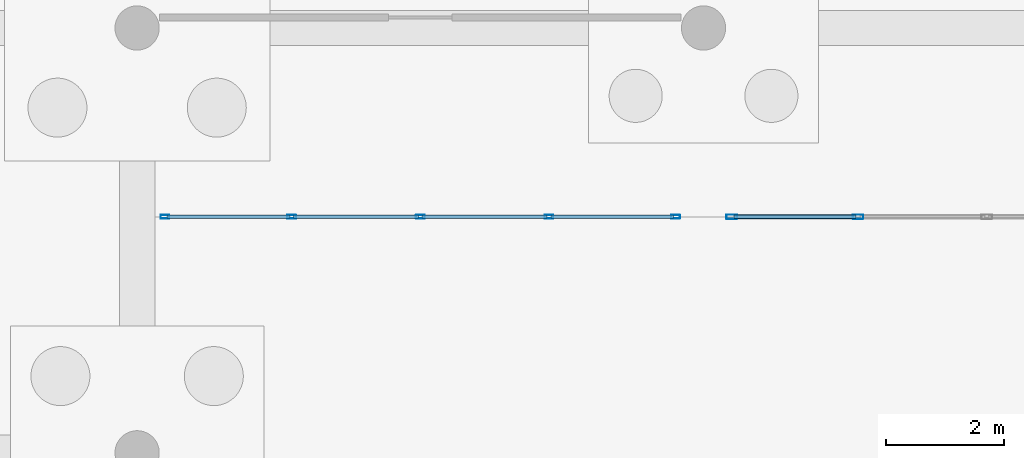
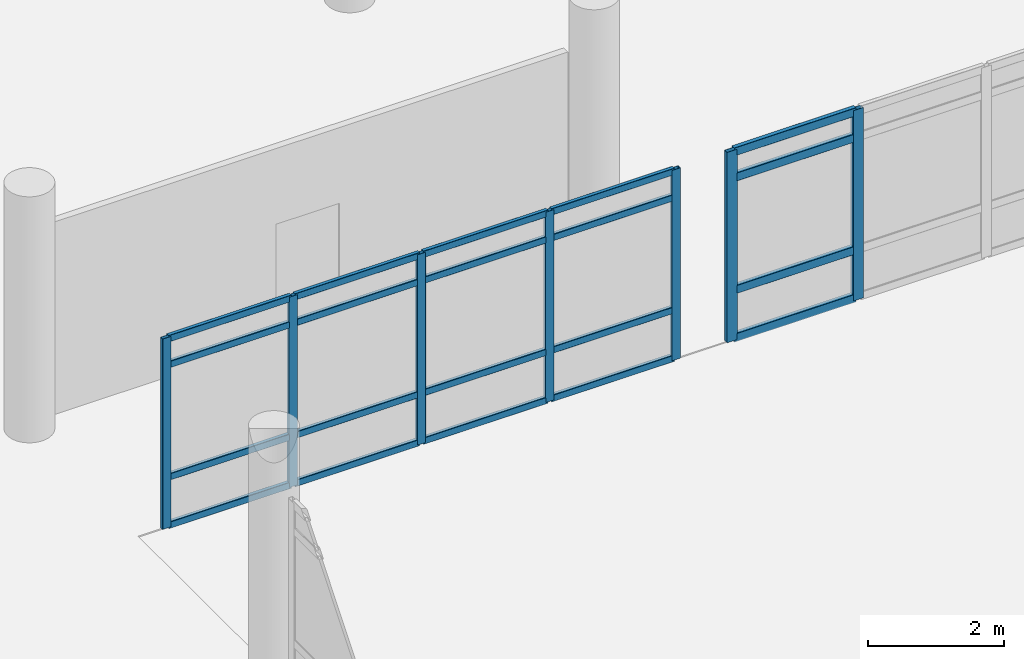
# One storey, part 103 of 196: 27 members, 2 elements without a shape of their own.
"""IFC4 building model written with IfcOpenShell, lengths in metres."""

from ifc_helpers import new_model, si_unit, direction, frame, origin, origin_2d, place, context, subcontext, project, spatial, hollow_rectangle, extrude, material, layer, layer_set, material_profile, profile_set, type_object, element, aggregate, save


model = new_model("IFC4")

# Units and contexts
model_context = context("Model", 3, precision=1e-05, world=origin(), true_north=direction((0.0, 1.0)))
body_context = subcontext(model_context, "Body", "Model", "MODEL_VIEW")
ifc_project = project(units=[si_unit("LENGTHUNIT", "METRE"), si_unit("AREAUNIT", "SQUARE_METRE"), si_unit("VOLUMEUNIT", "CUBIC_METRE"), si_unit("PLANEANGLEUNIT", "RADIAN"), si_unit("MASSUNIT", "GRAM", prefix="KILO")], contexts=[model_context])

# Site, building, storey
site_placement = place(None, origin())
site = spatial("IfcSite", under=ifc_project, at=site_placement, CompositionType="ELEMENT")
building_placement = place(site_placement, origin())
building = spatial("IfcBuilding", under=site, at=building_placement, Name="Asteropetra Specialist Clinic", CompositionType="ELEMENT")
storey_placement = place(building_placement, origin())
storey = spatial("IfcBuildingStorey", under=building, at=storey_placement, Name="L00", CompositionType="ELEMENT", Elevation=0.0)

# Curtain wall, members
ifc_material_1 = material(Name="Aluminium and low-E glass", Category="aluminium")
ifc_layer_1 = layer(ifc_material_1, 0.179931640625)
ifc_layer_set_1 = layer_set([ifc_layer_1], Name="Aluminium and low-E glass")
curtain_wall_type_1 = type_object("IfcCurtainWallType", Name="CW-SYS-04", PredefinedType="USERDEFINED", material=ifc_layer_set_1)
curtain_wall_1_placement = place(storey_placement, origin())
curtain_wall_1 = element("IfcCurtainWall", 1, at=curtain_wall_1_placement, inside=storey, type_object=curtain_wall_type_1, Name="Curtain Wall CW-010", ObjectType="UNITISED CURTAIN WALL", PredefinedType="USERDEFINED")
ifc_material_2 = material(Name="Aluminium 6063-T6", Category="aluminium")
ifc_material_profile_1 = material_profile(ifc_material_2, hollow_rectangle(XDim=0.06494140625, YDim=0.14990234375, WallThickness=0.00390625, InnerFilletRadius=0.00390625, OuterFilletRadius=0.008056640625, at=origin_2d()), Name="MUL 150x65x4.0")
ifc_profile_set_1 = profile_set([ifc_material_profile_1], Name="Aluminium 6063-T6")
member_type_1 = type_object("IfcMemberType", Name="CWM-150x65", PredefinedType="MULLION", material=ifc_profile_set_1)
member_1_placement = place(storey_placement, frame((57.12744140625, 95.199951171875, 0.0), z_axis=(0.0, 0.0, 1.0), x_axis=(0.0, -1.0, 0.0)))
member_1 = element("IfcMember", 2, at=member_1_placement, type_object=member_type_1, Name="CW-010 mullion 1", PredefinedType="MULLION", context=body_context, shape_type="SweptSolid", body=[
    extrude(hollow_rectangle(XDim=0.06494140625, YDim=0.14990234375, WallThickness=0.00390625, InnerFilletRadius=0.00390625, OuterFilletRadius=0.008056640625, at=origin_2d()), origin(), (0.0, 0.0, 1.0), 3.419921875),
])
member_2_placement = place(storey_placement, frame((54.97998046875, 95.199951171875, 0.0), z_axis=(0.0, 0.0, 1.0), x_axis=(0.0, -1.0, 0.0)))
member_2 = element("IfcMember", 3, at=member_2_placement, type_object=member_type_1, Name="CW-010 mullion 2", PredefinedType="MULLION", context=body_context, shape_type="SweptSolid", body=[
    extrude(hollow_rectangle(XDim=0.06494140625, YDim=0.14990234375, WallThickness=0.00390625, InnerFilletRadius=0.00390625, OuterFilletRadius=0.008056640625, at=origin_2d()), origin(), (0.0, 0.0, 1.0), 3.419921875),
])
member_3_placement = place(storey_placement, frame((52.800048828125, 95.199951171875, 0.0), z_axis=(0.0, 0.0, 1.0), x_axis=(0.0, -1.0, 0.0)))
member_3 = element("IfcMember", 4, at=member_3_placement, type_object=member_type_1, Name="CW-010 mullion 3", PredefinedType="MULLION", context=body_context, shape_type="SweptSolid", body=[
    extrude(hollow_rectangle(XDim=0.06494140625, YDim=0.14990234375, WallThickness=0.00390625, InnerFilletRadius=0.00390625, OuterFilletRadius=0.008056640625, at=origin_2d()), origin(), (0.0, 0.0, 1.0), 3.419921875),
])
member_4_placement = place(storey_placement, frame((50.6201171875, 95.199951171875, 0.0), z_axis=(0.0, 0.0, 1.0), x_axis=(0.0, -1.0, 0.0)))
member_4 = element("IfcMember", 5, at=member_4_placement, type_object=member_type_1, Name="CW-010 mullion 4", PredefinedType="MULLION", context=body_context, shape_type="SweptSolid", body=[
    extrude(hollow_rectangle(XDim=0.06494140625, YDim=0.14990234375, WallThickness=0.00390625, InnerFilletRadius=0.00390625, OuterFilletRadius=0.008056640625, at=origin_2d()), origin(), (0.0, 0.0, 1.0), 3.419921875),
])
member_5_placement = place(storey_placement, frame((48.472412109375, 95.199951171875, 0.0), z_axis=(0.0, 0.0, 1.0), x_axis=(0.0, -1.0, 0.0)))
member_5 = element("IfcMember", 6, at=member_5_placement, type_object=member_type_1, Name="CW-010 mullion 5", PredefinedType="MULLION", context=body_context, shape_type="SweptSolid", body=[
    extrude(hollow_rectangle(XDim=0.06494140625, YDim=0.14990234375, WallThickness=0.00390625, InnerFilletRadius=0.00390625, OuterFilletRadius=0.008056640625, at=origin_2d()), origin(), (0.0, 0.0, 1.0), 3.419921875),
])

ifc_material_3 = material(Name="Aluminium and low-E glass", Category="aluminium")
ifc_layer_2 = layer(ifc_material_3, 0.14990234375)
ifc_layer_set_2 = layer_set([ifc_layer_2], Name="Aluminium and low-E glass")
curtain_wall_type_2 = type_object("IfcCurtainWallType", Name="CW-SYS-05", PredefinedType="USERDEFINED", material=ifc_layer_set_2)
curtain_wall_2_placement = place(storey_placement, origin())
curtain_wall_2 = element("IfcCurtainWall", 7, at=curtain_wall_2_placement, inside=storey, type_object=curtain_wall_type_2, Name="Curtain Wall CW-012", ObjectType="UNITISED CURTAIN WALL", PredefinedType="USERDEFINED")
ifc_material_4 = material(Name="Aluminium 6063-T6", Category="aluminium")
ifc_material_profile_2 = material_profile(ifc_material_4, hollow_rectangle(XDim=0.074951171875, YDim=0.179931640625, WallThickness=0.00390625, InnerFilletRadius=0.00390625, OuterFilletRadius=0.008056640625, at=origin_2d()), Name="MUL 180x75x4.0")
ifc_profile_set_2 = profile_set([ifc_material_profile_2], Name="Aluminium 6063-T6")
member_type_2 = type_object("IfcMemberType", Name="CWM-180x75", PredefinedType="MULLION", material=ifc_profile_set_2)
member_6_placement = place(storey_placement, frame((60.219970703125, 95.199951171875, 0.0), z_axis=(0.0, 0.0, 1.0), x_axis=(0.0, -1.0, 0.0)))
member_6 = element("IfcMember", 8, at=member_6_placement, type_object=member_type_2, Name="CW-012 mullion 4", PredefinedType="MULLION", context=body_context, shape_type="SweptSolid", body=[
    extrude(hollow_rectangle(XDim=0.074951171875, YDim=0.179931640625, WallThickness=0.00390625, InnerFilletRadius=0.00390625, OuterFilletRadius=0.008056640625, at=origin_2d()), origin(), (0.0, 0.0, 1.0), 3.419921875),
])
member_7_placement = place(storey_placement, frame((58.077392578125, 95.199951171875, 0.0), z_axis=(0.0, 0.0, 1.0), x_axis=(0.0, -1.0, 0.0)))
member_7 = element("IfcMember", 9, at=member_7_placement, type_object=member_type_2, Name="CW-012 mullion 5", PredefinedType="MULLION", context=body_context, shape_type="SweptSolid", body=[
    extrude(hollow_rectangle(XDim=0.074951171875, YDim=0.179931640625, WallThickness=0.00390625, InnerFilletRadius=0.00390625, OuterFilletRadius=0.008056640625, at=origin_2d()), origin(), (0.0, 0.0, 1.0), 3.419921875),
])

# Member
ifc_material_5 = material(Name="Aluminium 6063-T6", Category="aluminium")
ifc_material_profile_3 = material_profile(ifc_material_5, hollow_rectangle(XDim=0.06494140625, YDim=0.1201171875, WallThickness=0.00390625, InnerFilletRadius=0.00390625, OuterFilletRadius=0.008056640625, at=origin_2d()), Name="TRN 120x65x4.0")
ifc_profile_set_3 = profile_set([ifc_material_profile_3], Name="Aluminium 6063-T6")
member_type_3 = type_object("IfcMemberType", Name="CWT-120x65", PredefinedType="USERDEFINED", material=ifc_profile_set_3)
member_8_placement = place(storey_placement, frame((57.094970703125, 95.199951171875, 0.032470703125), z_axis=(-1.0, 0.0, 0.0), x_axis=(0.0, -1.0, 0.0)))
member_8 = element("IfcMember", 10, at=member_8_placement, type_object=member_type_3, Name="CW-010 transom 1.1", ObjectType="TRANSOM", PredefinedType="USERDEFINED", context=body_context, shape_type="SweptSolid", body=[
    extrude(hollow_rectangle(XDim=0.06494140625, YDim=0.1201171875, WallThickness=0.00390625, InnerFilletRadius=0.00390625, OuterFilletRadius=0.008056640625, at=origin_2d()), origin(), (0.0, 0.0, 1.0), 2.08251953125),
])

member_9_placement = place(storey_placement, frame((57.094970703125, 95.199951171875, 0.89990234375), z_axis=(-1.0, 0.0, 0.0), x_axis=(0.0, -1.0, 0.0)))
member_9 = element("IfcMember", 11, at=member_9_placement, type_object=member_type_3, Name="CW-010 transom 1.2", ObjectType="TRANSOM", PredefinedType="USERDEFINED", context=body_context, shape_type="SweptSolid", body=[
    extrude(hollow_rectangle(XDim=0.06494140625, YDim=0.1201171875, WallThickness=0.00390625, InnerFilletRadius=0.00390625, OuterFilletRadius=0.008056640625, at=origin_2d()), origin(), (0.0, 0.0, 1.0), 2.08251953125),
])

member_10_placement = place(storey_placement, frame((57.094970703125, 95.199951171875, 2.919921875), z_axis=(-1.0, 0.0, 0.0), x_axis=(0.0, -1.0, 0.0)))
member_10 = element("IfcMember", 12, at=member_10_placement, type_object=member_type_3, Name="CW-010 transom 1.3", ObjectType="TRANSOM", PredefinedType="USERDEFINED", context=body_context, shape_type="SweptSolid", body=[
    extrude(hollow_rectangle(XDim=0.06494140625, YDim=0.1201171875, WallThickness=0.00390625, InnerFilletRadius=0.00390625, OuterFilletRadius=0.008056640625, at=origin_2d()), origin(), (0.0, 0.0, 1.0), 2.08251953125),
])

member_11_placement = place(storey_placement, frame((57.094970703125, 95.199951171875, 3.387451171875), z_axis=(-1.0, 0.0, 0.0), x_axis=(0.0, -1.0, 0.0)))
member_11 = element("IfcMember", 13, at=member_11_placement, type_object=member_type_3, Name="CW-010 transom 1.4", ObjectType="TRANSOM", PredefinedType="USERDEFINED", context=body_context, shape_type="SweptSolid", body=[
    extrude(hollow_rectangle(XDim=0.06494140625, YDim=0.1201171875, WallThickness=0.00390625, InnerFilletRadius=0.00390625, OuterFilletRadius=0.008056640625, at=origin_2d()), origin(), (0.0, 0.0, 1.0), 2.08251953125),
])

member_12_placement = place(storey_placement, frame((54.947509765625, 95.199951171875, 0.032470703125), z_axis=(-1.0, 0.0, 0.0), x_axis=(0.0, -1.0, 0.0)))
member_12 = element("IfcMember", 14, at=member_12_placement, type_object=member_type_3, Name="CW-010 transom 2.1", ObjectType="TRANSOM", PredefinedType="USERDEFINED", context=body_context, shape_type="SweptSolid", body=[
    extrude(hollow_rectangle(XDim=0.06494140625, YDim=0.1201171875, WallThickness=0.00390625, InnerFilletRadius=0.00390625, OuterFilletRadius=0.008056640625, at=origin_2d()), origin(), (0.0, 0.0, 1.0), 2.114990234375),
])

member_13_placement = place(storey_placement, frame((54.947509765625, 95.199951171875, 0.89990234375), z_axis=(-1.0, 0.0, 0.0), x_axis=(0.0, -1.0, 0.0)))
member_13 = element("IfcMember", 15, at=member_13_placement, type_object=member_type_3, Name="CW-010 transom 2.2", ObjectType="TRANSOM", PredefinedType="USERDEFINED", context=body_context, shape_type="SweptSolid", body=[
    extrude(hollow_rectangle(XDim=0.06494140625, YDim=0.1201171875, WallThickness=0.00390625, InnerFilletRadius=0.00390625, OuterFilletRadius=0.008056640625, at=origin_2d()), origin(), (0.0, 0.0, 1.0), 2.114990234375),
])

member_14_placement = place(storey_placement, frame((54.947509765625, 95.199951171875, 2.919921875), z_axis=(-1.0, 0.0, 0.0), x_axis=(0.0, -1.0, 0.0)))
member_14 = element("IfcMember", 16, at=member_14_placement, type_object=member_type_3, Name="CW-010 transom 2.3", ObjectType="TRANSOM", PredefinedType="USERDEFINED", context=body_context, shape_type="SweptSolid", body=[
    extrude(hollow_rectangle(XDim=0.06494140625, YDim=0.1201171875, WallThickness=0.00390625, InnerFilletRadius=0.00390625, OuterFilletRadius=0.008056640625, at=origin_2d()), origin(), (0.0, 0.0, 1.0), 2.114990234375),
])

member_15_placement = place(storey_placement, frame((54.947509765625, 95.199951171875, 3.387451171875), z_axis=(-1.0, 0.0, 0.0), x_axis=(0.0, -1.0, 0.0)))
member_15 = element("IfcMember", 17, at=member_15_placement, type_object=member_type_3, Name="CW-010 transom 2.4", ObjectType="TRANSOM", PredefinedType="USERDEFINED", context=body_context, shape_type="SweptSolid", body=[
    extrude(hollow_rectangle(XDim=0.06494140625, YDim=0.1201171875, WallThickness=0.00390625, InnerFilletRadius=0.00390625, OuterFilletRadius=0.008056640625, at=origin_2d()), origin(), (0.0, 0.0, 1.0), 2.114990234375),
])

member_16_placement = place(storey_placement, frame((52.767578125, 95.199951171875, 0.032470703125), z_axis=(-1.0, 0.0, 0.0), x_axis=(0.0, -1.0, 0.0)))
member_16 = element("IfcMember", 18, at=member_16_placement, type_object=member_type_3, Name="CW-010 transom 3.1", ObjectType="TRANSOM", PredefinedType="USERDEFINED", context=body_context, shape_type="SweptSolid", body=[
    extrude(hollow_rectangle(XDim=0.06494140625, YDim=0.1201171875, WallThickness=0.00390625, InnerFilletRadius=0.00390625, OuterFilletRadius=0.008056640625, at=origin_2d()), origin(), (0.0, 0.0, 1.0), 2.114990234375),
])

member_17_placement = place(storey_placement, frame((52.767578125, 95.199951171875, 0.89990234375), z_axis=(-1.0, 0.0, 0.0), x_axis=(0.0, -1.0, 0.0)))
member_17 = element("IfcMember", 19, at=member_17_placement, type_object=member_type_3, Name="CW-010 transom 3.2", ObjectType="TRANSOM", PredefinedType="USERDEFINED", context=body_context, shape_type="SweptSolid", body=[
    extrude(hollow_rectangle(XDim=0.06494140625, YDim=0.1201171875, WallThickness=0.00390625, InnerFilletRadius=0.00390625, OuterFilletRadius=0.008056640625, at=origin_2d()), origin(), (0.0, 0.0, 1.0), 2.114990234375),
])

member_18_placement = place(storey_placement, frame((52.767578125, 95.199951171875, 2.919921875), z_axis=(-1.0, 0.0, 0.0), x_axis=(0.0, -1.0, 0.0)))
member_18 = element("IfcMember", 20, at=member_18_placement, type_object=member_type_3, Name="CW-010 transom 3.3", ObjectType="TRANSOM", PredefinedType="USERDEFINED", context=body_context, shape_type="SweptSolid", body=[
    extrude(hollow_rectangle(XDim=0.06494140625, YDim=0.1201171875, WallThickness=0.00390625, InnerFilletRadius=0.00390625, OuterFilletRadius=0.008056640625, at=origin_2d()), origin(), (0.0, 0.0, 1.0), 2.114990234375),
])

member_19_placement = place(storey_placement, frame((52.767578125, 95.199951171875, 3.387451171875), z_axis=(-1.0, 0.0, 0.0), x_axis=(0.0, -1.0, 0.0)))
member_19 = element("IfcMember", 21, at=member_19_placement, type_object=member_type_3, Name="CW-010 transom 3.4", ObjectType="TRANSOM", PredefinedType="USERDEFINED", context=body_context, shape_type="SweptSolid", body=[
    extrude(hollow_rectangle(XDim=0.06494140625, YDim=0.1201171875, WallThickness=0.00390625, InnerFilletRadius=0.00390625, OuterFilletRadius=0.008056640625, at=origin_2d()), origin(), (0.0, 0.0, 1.0), 2.114990234375),
])

member_20_placement = place(storey_placement, frame((50.58740234375, 95.199951171875, 0.032470703125), z_axis=(-1.0, 0.0, 0.0), x_axis=(0.0, -1.0, 0.0)))
member_20 = element("IfcMember", 22, at=member_20_placement, type_object=member_type_3, Name="CW-010 transom 4.1", ObjectType="TRANSOM", PredefinedType="USERDEFINED", context=body_context, shape_type="SweptSolid", body=[
    extrude(hollow_rectangle(XDim=0.06494140625, YDim=0.1201171875, WallThickness=0.00390625, InnerFilletRadius=0.00390625, OuterFilletRadius=0.008056640625, at=origin_2d()), origin(), (0.0, 0.0, 1.0), 2.08251953125),
])

member_21_placement = place(storey_placement, frame((50.58740234375, 95.199951171875, 0.89990234375), z_axis=(-1.0, 0.0, 0.0), x_axis=(0.0, -1.0, 0.0)))
member_21 = element("IfcMember", 23, at=member_21_placement, type_object=member_type_3, Name="CW-010 transom 4.2", ObjectType="TRANSOM", PredefinedType="USERDEFINED", context=body_context, shape_type="SweptSolid", body=[
    extrude(hollow_rectangle(XDim=0.06494140625, YDim=0.1201171875, WallThickness=0.00390625, InnerFilletRadius=0.00390625, OuterFilletRadius=0.008056640625, at=origin_2d()), origin(), (0.0, 0.0, 1.0), 2.08251953125),
])

member_22_placement = place(storey_placement, frame((50.58740234375, 95.199951171875, 2.919921875), z_axis=(-1.0, 0.0, 0.0), x_axis=(0.0, -1.0, 0.0)))
member_22 = element("IfcMember", 24, at=member_22_placement, type_object=member_type_3, Name="CW-010 transom 4.3", ObjectType="TRANSOM", PredefinedType="USERDEFINED", context=body_context, shape_type="SweptSolid", body=[
    extrude(hollow_rectangle(XDim=0.06494140625, YDim=0.1201171875, WallThickness=0.00390625, InnerFilletRadius=0.00390625, OuterFilletRadius=0.008056640625, at=origin_2d()), origin(), (0.0, 0.0, 1.0), 2.08251953125),
])

member_23_placement = place(storey_placement, frame((50.58740234375, 95.199951171875, 3.387451171875), z_axis=(-1.0, 0.0, 0.0), x_axis=(0.0, -1.0, 0.0)))
member_23 = element("IfcMember", 25, at=member_23_placement, type_object=member_type_3, Name="CW-010 transom 4.4", ObjectType="TRANSOM", PredefinedType="USERDEFINED", context=body_context, shape_type="SweptSolid", body=[
    extrude(hollow_rectangle(XDim=0.06494140625, YDim=0.1201171875, WallThickness=0.00390625, InnerFilletRadius=0.00390625, OuterFilletRadius=0.008056640625, at=origin_2d()), origin(), (0.0, 0.0, 1.0), 2.08251953125),
])

aggregate(curtain_wall_1, [member_1, member_2, member_3, member_4, member_5, member_8, member_9, member_10, member_11, member_12, member_13, member_14, member_15, member_16, member_17, member_18, member_19, member_20, member_21, member_22, member_23])

ifc_material_6 = material(Name="Aluminium 6063-T6", Category="aluminium")
ifc_material_profile_4 = material_profile(ifc_material_6, hollow_rectangle(XDim=0.074951171875, YDim=0.14990234375, WallThickness=0.00390625, InnerFilletRadius=0.00390625, OuterFilletRadius=0.008056640625, at=origin_2d()), Name="TRN 150x75x4.0")
ifc_profile_set_4 = profile_set([ifc_material_profile_4], Name="Aluminium 6063-T6")
member_type_4 = type_object("IfcMemberType", Name="CWT-150x75", PredefinedType="USERDEFINED", material=ifc_profile_set_4)
member_24_placement = place(storey_placement, frame((60.1826171875, 95.199951171875, 0.03759765625), z_axis=(-1.0, 0.0, 0.0), x_axis=(0.0, -1.0, 0.0)))
member_24 = element("IfcMember", 26, at=member_24_placement, type_object=member_type_4, Name="CW-012 transom 4.1", ObjectType="TRANSOM", PredefinedType="USERDEFINED", context=body_context, shape_type="SweptSolid", body=[
    extrude(hollow_rectangle(XDim=0.074951171875, YDim=0.14990234375, WallThickness=0.00390625, InnerFilletRadius=0.00390625, OuterFilletRadius=0.008056640625, at=origin_2d()), origin(), (0.0, 0.0, 1.0), 2.067626953125),
])

member_25_placement = place(storey_placement, frame((60.1826171875, 95.199951171875, 0.89990234375), z_axis=(-1.0, 0.0, 0.0), x_axis=(0.0, -1.0, 0.0)))
member_25 = element("IfcMember", 27, at=member_25_placement, type_object=member_type_4, Name="CW-012 transom 4.2", ObjectType="TRANSOM", PredefinedType="USERDEFINED", context=body_context, shape_type="SweptSolid", body=[
    extrude(hollow_rectangle(XDim=0.074951171875, YDim=0.14990234375, WallThickness=0.00390625, InnerFilletRadius=0.00390625, OuterFilletRadius=0.008056640625, at=origin_2d()), origin(), (0.0, 0.0, 1.0), 2.067626953125),
])

member_26_placement = place(storey_placement, frame((60.1826171875, 95.199951171875, 2.919921875), z_axis=(-1.0, 0.0, 0.0), x_axis=(0.0, -1.0, 0.0)))
member_26 = element("IfcMember", 28, at=member_26_placement, type_object=member_type_4, Name="CW-012 transom 4.3", ObjectType="TRANSOM", PredefinedType="USERDEFINED", context=body_context, shape_type="SweptSolid", body=[
    extrude(hollow_rectangle(XDim=0.074951171875, YDim=0.14990234375, WallThickness=0.00390625, InnerFilletRadius=0.00390625, OuterFilletRadius=0.008056640625, at=origin_2d()), origin(), (0.0, 0.0, 1.0), 2.067626953125),
])

member_27_placement = place(storey_placement, frame((60.1826171875, 95.199951171875, 3.382568359375), z_axis=(-1.0, 0.0, 0.0), x_axis=(0.0, -1.0, 0.0)))
member_27 = element("IfcMember", 29, at=member_27_placement, type_object=member_type_4, Name="CW-012 transom 4.4", ObjectType="TRANSOM", PredefinedType="USERDEFINED", context=body_context, shape_type="SweptSolid", body=[
    extrude(hollow_rectangle(XDim=0.074951171875, YDim=0.14990234375, WallThickness=0.00390625, InnerFilletRadius=0.00390625, OuterFilletRadius=0.008056640625, at=origin_2d()), origin(), (0.0, 0.0, 1.0), 2.067626953125),
])

aggregate(curtain_wall_2, [member_6, member_7, member_24, member_25, member_26, member_27])

save(model, "model.ifc")
